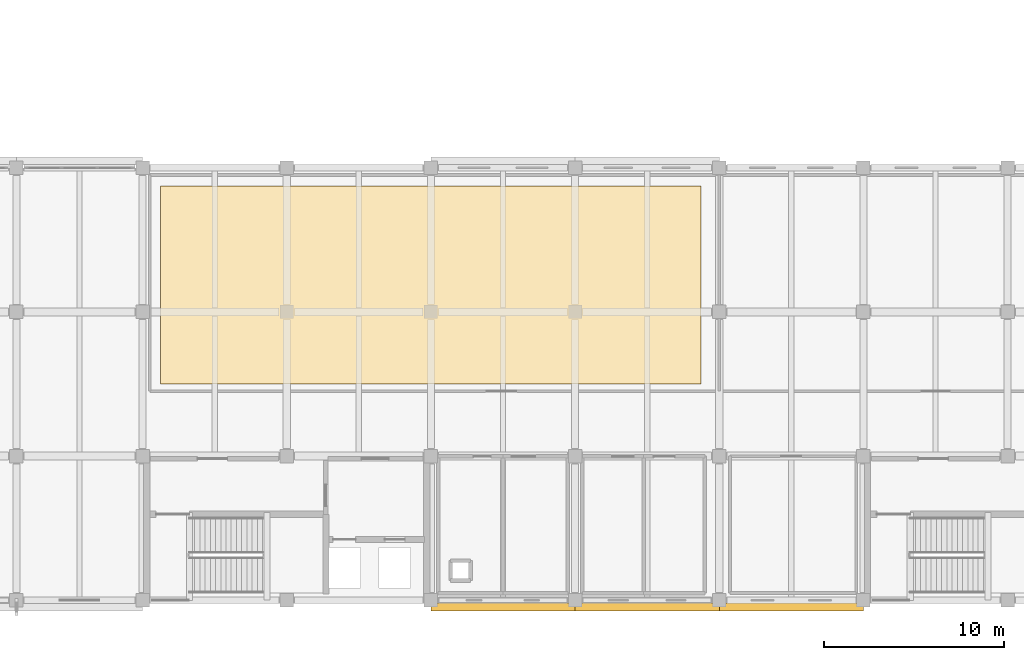
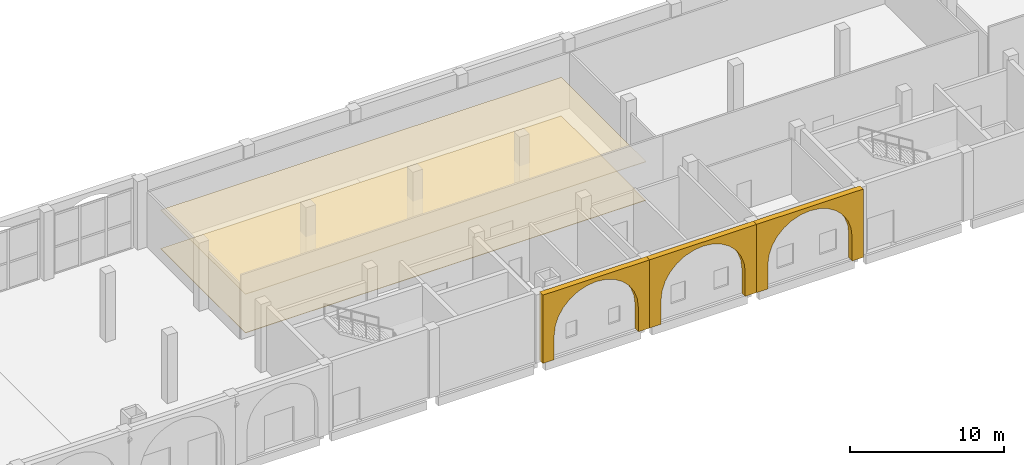
# One storey, part 34 of 40: 5 coverings.
"""IFC4 building model written with IfcOpenShell, lengths in metres."""

from ifc_helpers import new_model, si_unit, direction, frame, origin, place, context, subcontext, project, spatial, polyline, outline, extrude, material, layer, layer_set, type_object, element, save


model = new_model("IFC4")

# Units and contexts
model_context = context("Model", 3, precision=1e-05, world=origin(), true_north=direction((0.0, 1.0)))
body_context = subcontext(model_context, "Body", "Model", "MODEL_VIEW")
ifc_project = project(units=[si_unit("LENGTHUNIT", "METRE"), si_unit("AREAUNIT", "SQUARE_METRE"), si_unit("VOLUMEUNIT", "CUBIC_METRE"), si_unit("PLANEANGLEUNIT", "RADIAN"), si_unit("MASSUNIT", "GRAM", prefix="KILO")], contexts=[model_context])

# Site, building, storey
site_placement = place(None, origin())
site = spatial("IfcSite", under=ifc_project, at=site_placement, CompositionType="ELEMENT")
building_placement = place(site_placement, origin())
building = spatial("IfcBuilding", under=site, at=building_placement, Name="Qorikala Patio Media Centre", CompositionType="ELEMENT")
storey_placement = place(building_placement, origin())
storey = spatial("IfcBuildingStorey", under=building, at=storey_placement, Name="L00", CompositionType="ELEMENT", Elevation=0.0)

# Coverings
ifc_material_1 = material(Name="Perforated Andean Timber Acoustic Ceiling", Category="wood")
ifc_layer_1 = layer(ifc_material_1, 0.0400390625)
ifc_layer_set_1 = layer_set([ifc_layer_1], Name="Perforated Andean Timber Acoustic Ceiling")
covering_type_1 = type_object("IfcCoveringType", Name="COV-CEIL-AC", PredefinedType="CEILING", material=ifc_layer_set_1)
covering_1_placement = place(storey_placement, frame((0.0, 0.0, 3.050048828125)))
element("IfcCovering", 1, at=covering_1_placement, inside=storey, type_object=covering_type_1, Name="L00 Acoustic Timber Ceiling 02", PredefinedType="CEILING", context=body_context, shape_type="SweptSolid", body=[
    extrude(outline(polyline([(83.0, 15.0), (113.0, 15.0), (113.0, 26.0), (83.0, 26.0), (83.0, 15.0)])), origin(), (0.0, 0.0, 1.0), 0.0400390625),
])
ifc_material_2 = material(Name="Comanche Granite Ashlar Stone", Category="masonry")
ifc_layer_2 = layer(ifc_material_2, 0.06005859375)
ifc_layer_set_2 = layer_set([ifc_layer_2], Name="Comanche Granite Ashlar Stone")
covering_type_2 = type_object("IfcCoveringType", Name="COV-CLAD-STONE", PredefinedType="CLADDING", material=ifc_layer_set_2)
for number, where, z_axis, x_axis, name in (
    (2, (98.0, 2.6201171875, 0.0), (0.0, 0.0, 1.0), (1.0, 0.0, 0.0), "Spanish Colonial Stone Arched Arcade PORT-S9"),
    (3, (106.0, 2.6201171875, 0.0), (0.0, 0.0, 1.0), (1.0, 0.0, 0.0), "Spanish Colonial Stone Arched Arcade PORT-S10"),
    (4, (114.0, 2.6201171875, 0.0), (0.0, 0.0, 1.0), (1.0, 0.0, 0.0), "Spanish Colonial Stone Arched Arcade PORT-S11"),
):
    element("IfcCovering", number, at=place(storey_placement, frame(where, z_axis=z_axis, x_axis=x_axis)), inside=storey, type_object=covering_type_2, Name=name, PredefinedType="CLADDING", context=body_context, shape_type="SweptSolid", body=[
        extrude(outline(polyline([(0.0, 0.0), (0.85009765625, 0.0), (0.85009765625, 1.929931640625), (0.928955078125, 2.630859375), (1.161865234375, 3.296630859375), (1.537109375, 3.893798828125), (2.035888671875, 4.392578125), (2.63330078125, 4.76806640625), (3.299072265625, 5.0009765625), (4.0, 5.079833984375), (4.700927734375, 5.0009765625), (5.36669921875, 4.76806640625), (5.964111328125, 4.392578125), (6.462890625, 3.893798828125), (6.838134765625, 3.296630859375), (7.071044921875, 2.630859375), (7.14990234375, 1.929931640625), (7.14990234375, 0.0), (8.0, 0.0), (8.0, 5.39990234375), (0.0, 5.39990234375), (0.0, 0.0)])), frame((0.0, 0.219970703125, 0.0), z_axis=(0.0, -1.0, 0.0), x_axis=(1.0, 0.0, 0.0)), (0.0, 0.0, 1.0), 0.43994140625),
    ])
ifc_material_3 = material(Name="Honed Comanche Granite Flooring", Category="masonry")
ifc_layer_3 = layer(ifc_material_3, 0.034912109375)
ifc_layer_set_3 = layer_set([ifc_layer_3], Name="Honed Comanche Granite Flooring")
covering_type_3 = type_object("IfcCoveringType", Name="COV-FLOR-STONE", PredefinedType="FLOORING", material=ifc_layer_set_3)
covering_2_placement = place(storey_placement, origin())
element("IfcCovering", 5, at=covering_2_placement, inside=storey, type_object=covering_type_3, Name="L00 Honed Comanche Granite Flooring 02", PredefinedType="FLOORING", context=body_context, shape_type="SweptSolid", body=[
    extrude(outline(polyline([(83.0, 15.0), (113.0, 15.0), (113.0, 26.0), (83.0, 26.0), (83.0, 15.0)])), origin(), (0.0, 0.0, 1.0), 0.034912109375),
])

save(model, "model.ifc")
